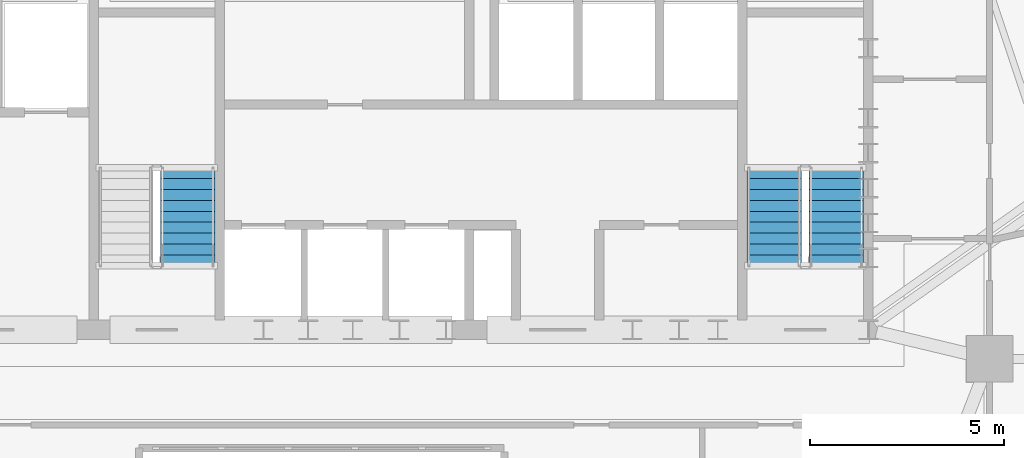
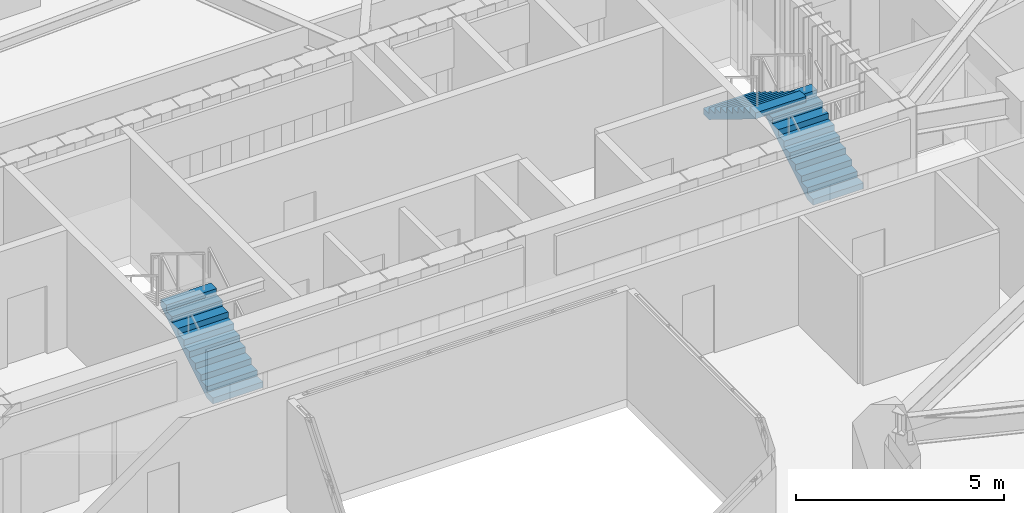
# One storey, part 9 of 12: 3 stair flights, 2 elements without a shape of their own.
"""IFC4 building model written with IfcOpenShell, lengths in metres."""

from ifc_helpers import new_model, si_unit, direction, frame, origin, place, context, subcontext, project, spatial, polyline, outline, extrude, material, type_object, element, aggregate, save


model = new_model("IFC4")

# Units and contexts
model_context = context("Model", 3, precision=1e-05, world=origin(), true_north=direction((0.0, 1.0)))
body_context = subcontext(model_context, "Body", "Model", "MODEL_VIEW")
ifc_project = project(units=[si_unit("LENGTHUNIT", "METRE"), si_unit("AREAUNIT", "SQUARE_METRE"), si_unit("VOLUMEUNIT", "CUBIC_METRE"), si_unit("PLANEANGLEUNIT", "RADIAN"), si_unit("MASSUNIT", "GRAM", prefix="KILO")], contexts=[model_context])

# Site, building, storey
site_placement = place(None, origin())
site = spatial("IfcSite", under=ifc_project, at=site_placement, CompositionType="ELEMENT")
building_placement = place(site_placement, origin())
building = spatial("IfcBuilding", under=site, at=building_placement, Name="Haldorwick Loom Tower", CompositionType="ELEMENT")
storey_placement = place(building_placement, frame((0.0, 0.0, 161.35009765625)))
storey = spatial("IfcBuildingStorey", under=building, at=storey_placement, Name="L43", CompositionType="ELEMENT", Elevation=161.35009765625)

# Stair, stair flights
ifc_material = material(Name="Concrete C40 (40 MPa)", Category="concrete")
stair_type = type_object("IfcStairType", Name="STR-STR-CORE", PredefinedType="HALF_TURN_STAIR", material=ifc_material)
stair_1_placement = place(storey_placement, origin())
stair_1 = element("IfcStair", 1, at=stair_1_placement, inside=storey, type_object=stair_type, Name="L43 Exit Stair ST-02", PredefinedType="HALF_TURN_STAIR")
stair_flight_type = type_object("IfcStairFlightType", Name="STR-STF-1250", PredefinedType="STRAIGHT", material=ifc_material)
stair_flight_1_placement = place(storey_placement, frame((49.25, 28.39990234375, 0.0), z_axis=(0.0, 0.0, 1.0), x_axis=(0.0, 1.0, 0.0)))
stair_flight_1 = element("IfcStairFlight", 2, at=stair_flight_1_placement, type_object=stair_flight_type, Name="ST-02 flight 1", NumberOfRisers=10, NumberOfTreads=9, PredefinedType="STRAIGHT", RiserHeight=0.1725, TreadLength=0.28, context=body_context, shape_type="SweptSolid", body=[
    extrude(outline(polyline([(0.0, 0.0), (0.0, 0.172607421875), (0.280029296875, 0.172607421875), (0.280029296875, 0.344970703125), (0.56005859375, 0.344970703125), (0.56005859375, 0.517578125), (0.840087890625, 0.517578125), (0.840087890625, 0.68994140625), (1.1201171875, 0.68994140625), (1.1201171875, 0.862548828125), (1.39990234375, 0.862548828125), (1.39990234375, 1.034912109375), (1.679931640625, 1.034912109375), (1.679931640625, 1.20751953125), (1.9599609375, 1.20751953125), (1.9599609375, 1.3798828125), (2.239990234375, 1.3798828125), (2.239990234375, 1.552490234375), (2.52001953125, 1.552490234375), (2.52001953125, 1.72509765625), (2.52001953125, 1.37646484375), (0.285888671875, 0.0), (0.0, 0.0)])), frame((0.0, 0.699951171875, 0.0), z_axis=(0.0, -1.0, 0.0), x_axis=(1.0, 0.0, 0.0)), (0.0, 0.0, 1.0), 1.39990234375),
])
stair_flight_2_placement = place(storey_placement, frame((47.64990234375, 30.919921875, 1.724853515625), z_axis=(0.0, 0.0, 1.0), x_axis=(0.0, -1.0, 0.0)))
stair_flight_2 = element("IfcStairFlight", 3, at=stair_flight_2_placement, type_object=stair_flight_type, Name="ST-02 flight 2", NumberOfRisers=10, NumberOfTreads=9, PredefinedType="STRAIGHT", RiserHeight=0.1725, TreadLength=0.28, context=body_context, shape_type="SweptSolid", body=[
    extrude(outline(polyline([(0.0, 0.0), (0.0, 0.172607421875), (0.280029296875, 0.172607421875), (0.280029296875, 0.344970703125), (0.56005859375, 0.344970703125), (0.56005859375, 0.517578125), (0.840087890625, 0.517578125), (0.840087890625, 0.68994140625), (1.1201171875, 0.68994140625), (1.1201171875, 0.862548828125), (1.39990234375, 0.862548828125), (1.39990234375, 1.034912109375), (1.679931640625, 1.034912109375), (1.679931640625, 1.20751953125), (1.9599609375, 1.20751953125), (1.9599609375, 1.3798828125), (2.239990234375, 1.3798828125), (2.239990234375, 1.552490234375), (2.52001953125, 1.552490234375), (2.52001953125, 1.72509765625), (2.52001953125, 1.37646484375), (0.285888671875, 0.0), (0.0, 0.0)])), frame((0.0, 0.699951171875, 0.0), z_axis=(0.0, -1.0, 0.0), x_axis=(1.0, 0.0, 0.0)), (0.0, 0.0, 1.0), 1.39990234375),
])
aggregate(stair_1, [stair_flight_1, stair_flight_2])

# Stair, stair flight
stair_2_placement = place(storey_placement, origin())
stair_2 = element("IfcStair", 4, at=stair_2_placement, inside=storey, type_object=stair_type, Name="L43 Exit Stair ST-03", PredefinedType="HALF_TURN_STAIR")
stair_flight_3_placement = place(storey_placement, frame((32.550048828125, 28.39990234375, 0.0), z_axis=(0.0, 0.0, 1.0), x_axis=(0.0, 1.0, 0.0)))
stair_flight_3 = element("IfcStairFlight", 5, at=stair_flight_3_placement, type_object=stair_flight_type, Name="ST-03 flight 1", NumberOfRisers=10, NumberOfTreads=9, PredefinedType="STRAIGHT", RiserHeight=0.1725, TreadLength=0.28, context=body_context, shape_type="SweptSolid", body=[
    extrude(outline(polyline([(0.0, 0.0), (0.0, 0.172607421875), (0.280029296875, 0.172607421875), (0.280029296875, 0.344970703125), (0.56005859375, 0.344970703125), (0.56005859375, 0.517578125), (0.840087890625, 0.517578125), (0.840087890625, 0.68994140625), (1.1201171875, 0.68994140625), (1.1201171875, 0.862548828125), (1.39990234375, 0.862548828125), (1.39990234375, 1.034912109375), (1.679931640625, 1.034912109375), (1.679931640625, 1.20751953125), (1.9599609375, 1.20751953125), (1.9599609375, 1.3798828125), (2.239990234375, 1.3798828125), (2.239990234375, 1.552490234375), (2.52001953125, 1.552490234375), (2.52001953125, 1.72509765625), (2.52001953125, 1.37646484375), (0.285888671875, 0.0), (0.0, 0.0)])), frame((0.0, 0.699951171875, 0.0), z_axis=(0.0, -1.0, 0.0), x_axis=(1.0, 0.0, 0.0)), (0.0, 0.0, 1.0), 1.39990234375),
])
aggregate(stair_2, [stair_flight_3])

save(model, "model.ifc")
